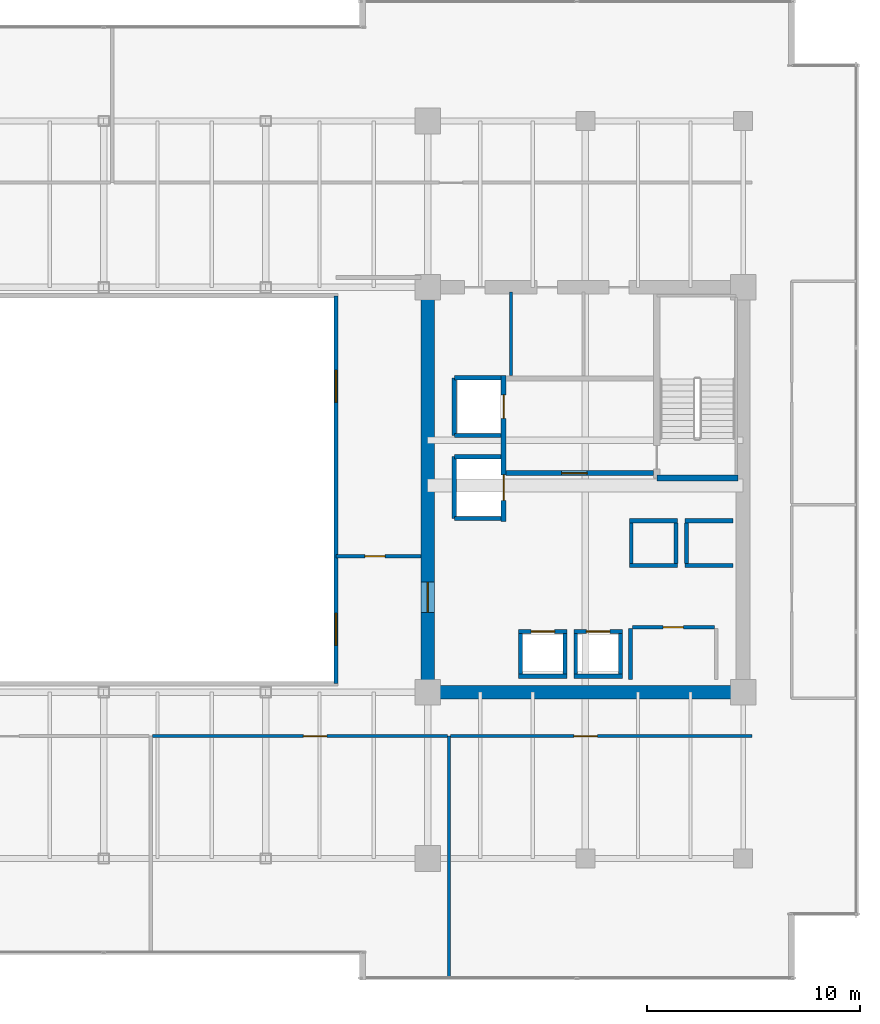
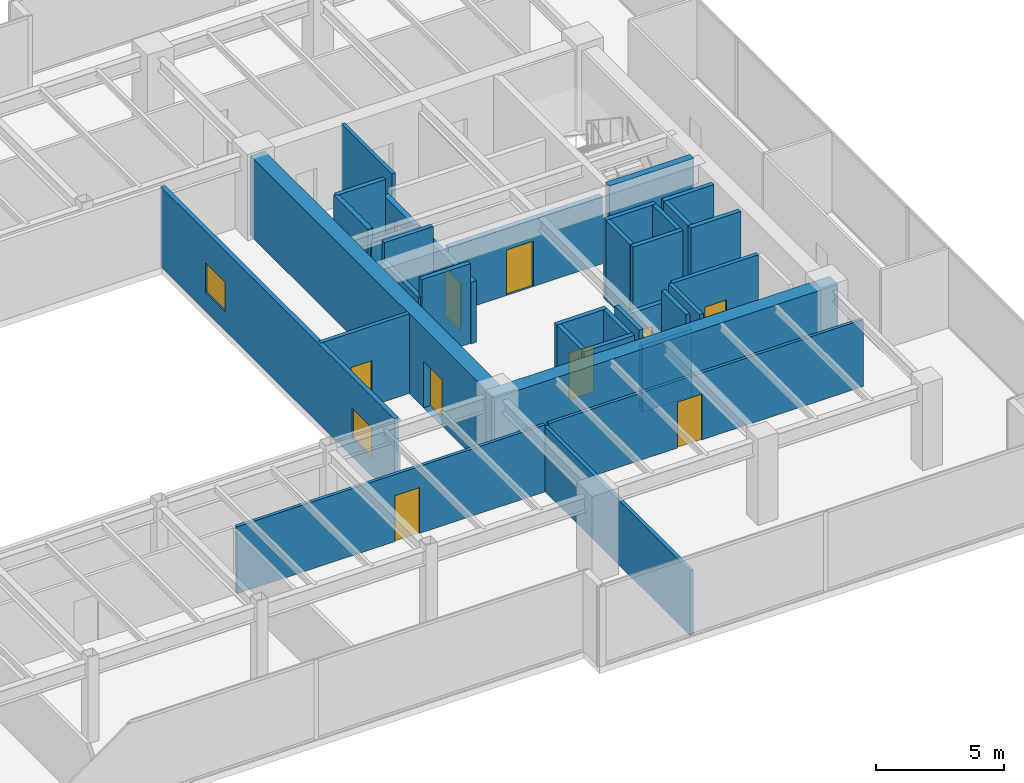
# One storey, part 26 of 30: 34 walls, 10 doors, 2 windows, 12 openings.
"""IFC4 building model written with IfcOpenShell, lengths in metres."""

from ifc_helpers import new_model, si_unit, direction, frame, frame_2d, origin, place, context, subcontext, project, spatial, rectangle, extrude, source, transform, mapped, material, layer, layer_set, type_object, type_shapes, element, fill, save


model = new_model("IFC4")

# Units and contexts
model_context = context("Model", 3, precision=1e-05, world=origin(), true_north=direction((0.0, 1.0)))
body_context = subcontext(model_context, "Body", "Model", "MODEL_VIEW")
ifc_project = project(units=[si_unit("LENGTHUNIT", "METRE"), si_unit("AREAUNIT", "SQUARE_METRE"), si_unit("VOLUMEUNIT", "CUBIC_METRE"), si_unit("PLANEANGLEUNIT", "RADIAN"), si_unit("MASSUNIT", "GRAM", prefix="KILO")], contexts=[model_context])

# Site, building, storey
site_placement = place(None, origin())
site = spatial("IfcSite", under=ifc_project, at=site_placement, CompositionType="ELEMENT")
building_placement = place(site_placement, origin())
building = spatial("IfcBuilding", under=site, at=building_placement, Name="Haelvirn Gate Laboratories", CompositionType="ELEMENT")
storey_placement = place(building_placement, frame((0.0, 0.0, 183.0)))
storey = spatial("IfcBuildingStorey", under=building, at=storey_placement, Name="L44", CompositionType="ELEMENT", Elevation=183.0)

# Wall
ifc_material_1 = material(Name="Double-layer acoustic gypsum laboratory partition", Category="gypsum")
ifc_layer_1 = layer(ifc_material_1, 0.159912109375, Name="IW-ACOUST-160")
ifc_layer_set_1 = layer_set([ifc_layer_1], Name="Double-layer acoustic gypsum laboratory partition")
wall_type_1 = type_object("IfcWallType", Name="IW-ACOUST-160", PredefinedType="PARTITIONING", material=ifc_layer_set_1)
wall_1_placement = place(storey_placement, frame((53.60009765625, 1.409912109375, 0.0), z_axis=(0.0, 0.0, 1.0), x_axis=(0.0, 1.0, 0.0)))
element("IfcWall", 1, at=wall_1_placement, inside=storey, type_object=wall_type_1, Name="L44 Interior Wall IW-L44-SDIV-04", PredefinedType="PARTITIONING", context=body_context, shape_type="SweptSolid", body=[
    extrude(rectangle(XDim=11.330078125, YDim=0.159912109375, at=frame_2d((5.6650390625, 0.0))), origin(), (0.0, 0.0, 1.0), 3.074951171875),
])

# Wall, opening, door
ifc_material_2 = material(Name="Fire-rated acoustic gypsum board partition", Category="gypsum")
ifc_layer_2 = layer(ifc_material_2, 0.175048828125, Name="IW-ACOUST-180")
ifc_layer_set_2 = layer_set([ifc_layer_2], Name="Fire-rated acoustic gypsum board partition")
wall_type_2 = type_object("IfcWallType", Name="IW-ACOUST-180", PredefinedType="PARTITIONING", material=ifc_layer_set_2)
wall_2_placement = place(storey_placement, frame((48.300048828125, 21.179931640625, 0.0), z_axis=(0.0, 0.0, 1.0), x_axis=(1.0, 0.0, 0.0)))
wall_2 = element("IfcWall", 2, at=wall_2_placement, inside=storey, type_object=wall_type_2, Name="L44 Interior Wall IW-L44-ASEM-S", PredefinedType="PARTITIONING", context=body_context, shape_type="SweptSolid", body=[
    extrude(rectangle(XDim=3.974853515625, YDim=0.175048828125, at=frame_2d((1.9873046875, 0.0))), origin(), (0.0, 0.0, 1.0), 3.7900390625),
])
opening_1_placement = place(wall_2_placement, frame((1.35009765625, 0.0, 0.0)))
opening_1 = element("IfcOpeningElement", 3, at=opening_1_placement, cuts=wall_2, Name="Opening FD4", PredefinedType="OPENING", context=body_context, shape_type="SweptSolid", body=[
    extrude(rectangle(XDim=0.949951171875, YDim=2.14990234375, at=frame_2d((0.47509765625, 1.074951171875))), frame((0.0, 0.09765625, 0.0), z_axis=(0.0, -1.0, 0.0), x_axis=(1.0, 0.0, 0.0)), (0.0, 0.0, 1.0), 0.195068359375),
])
ifc_material_3 = material(Name="Fire-rated steel SM355 core service door", Category="steel")
door_type_1 = type_object("IfcDoorType", Name="DR-FD-950", OperationType="NOTDEFINED", PredefinedType="DOOR", material=ifc_material_3)
shared_shape_1 = source(origin(), body_context, "Body", "SweptSolid", [
    extrude(rectangle(XDim=0.949951171875, YDim=2.14990234375, at=frame_2d((0.47509765625, 1.074951171875))), frame((0.0, 0.02490234375, 0.0), z_axis=(0.0, -1.0, 0.0), x_axis=(1.0, 0.0, 0.0)), (0.0, 0.0, 1.0), 0.050048828125),
])
type_shapes(door_type_1, [shared_shape_1])
door_1_placement = place(opening_1_placement, origin())
door_1 = element("IfcDoor", 4, at=door_1_placement, inside=storey, type_object=door_type_1, Name="L44 Atrium Bioinformatics Suite Door", OperationType="SINGLE_SWING_LEFT", OverallHeight=2.14990234375, OverallWidth=0.949951171875, PredefinedType="DOOR", context=body_context, shape_type="MappedRepresentation", body=[
    mapped(shared_shape_1, transform((0.0, 0.0, 0.0), scale=1.0)),
])
fill(opening_1, door_1)

# Wall, openings, windows
ifc_material_4 = material(Name="Tempered fire-rated borosilicate glass & anodised aluminium", Category="aluminium")
ifc_layer_3 = layer(ifc_material_4, 0.195068359375, Name="IW-GLAZ-200")
ifc_layer_set_3 = layer_set([ifc_layer_3], Name="Tempered fire-rated borosilicate glass & anodised aluminium")
wall_type_3 = type_object("IfcWallType", Name="IW-GLAZ-200", PredefinedType="SOLIDWALL", material=ifc_layer_set_3)
wall_3_placement = place(storey_placement, frame((48.300048828125, 15.199951171875, 0.0), z_axis=(0.0, 0.0, 1.0), x_axis=(0.0, 1.0, 0.0)))
wall_3 = element("IfcWall", 5, at=wall_3_placement, inside=storey, type_object=wall_type_3, Name="L44 Interior Wall IW-L44-ATRIUM-E", PredefinedType="SOLIDWALL", context=body_context, shape_type="SweptSolid", body=[
    extrude(rectangle(XDim=18.199951171875, YDim=0.195068359375, at=frame_2d((9.10009765625, 0.0))), origin(), (0.0, 0.0, 1.0), 3.7900390625),
])
opening_2_placement = place(wall_3_placement, frame((1.800048828125, 0.0, 0.89990234375)))
opening_2 = element("IfcOpeningElement", 6, at=opening_2_placement, cuts=wall_3, Name="Opening W5", PredefinedType="OPENING", context=body_context, shape_type="SweptSolid", body=[
    extrude(rectangle(XDim=1.5, YDim=1.39990234375, at=frame_2d((0.75, 0.699951171875))), frame((0.0, 0.107421875, 0.0), z_axis=(0.0, -1.0, 0.0), x_axis=(1.0, 0.0, 0.0)), (0.0, 0.0, 1.0), 0.215087890625),
])
opening_3_placement = place(wall_3_placement, frame((13.199951171875, 0.0, 0.89990234375)))
opening_3 = element("IfcOpeningElement", 7, at=opening_3_placement, cuts=wall_3, Name="Opening W5", PredefinedType="OPENING", context=body_context, shape_type="SweptSolid", body=[
    extrude(rectangle(XDim=1.5, YDim=1.39990234375, at=frame_2d((0.75, 0.699951171875))), frame((0.0, 0.107421875, 0.0), z_axis=(0.0, -1.0, 0.0), x_axis=(1.0, 0.0, 0.0)), (0.0, 0.0, 1.0), 0.215087890625),
])
ifc_material_5 = material(Name="Fire-rated EI 120 borosilicate atrium vision glazing", Category="glass")
window_type = type_object("IfcWindowType", Name="WN-ATR-1500", PartitioningType="SINGLE_PANEL", PredefinedType="WINDOW", material=ifc_material_5)
shared_shape_2 = source(origin(), body_context, "Body", "SweptSolid", [
    extrude(rectangle(XDim=1.5, YDim=1.39990234375, at=frame_2d((0.75, 0.699951171875))), frame((0.0, 0.030029296875, 0.0), z_axis=(0.0, -1.0, 0.0), x_axis=(1.0, 0.0, 0.0)), (0.0, 0.0, 1.0), 0.06005859375),
])
type_shapes(window_type, [shared_shape_2])
window_1_placement = place(opening_2_placement, origin())
window_1 = element("IfcWindow", 8, at=window_1_placement, inside=storey, type_object=window_type, Name="L44 Atrium Observation Window 1", OverallHeight=1.39990234375, OverallWidth=1.5, PartitioningType="SINGLE_PANEL", PredefinedType="WINDOW", context=body_context, shape_type="MappedRepresentation", body=[
    mapped(shared_shape_2, transform((0.0, 0.0, 0.0), scale=1.0)),
])
fill(opening_2, window_1)
window_2_placement = place(opening_3_placement, origin())
window_2 = element("IfcWindow", 9, at=window_2_placement, inside=storey, type_object=window_type, Name="L44 Atrium Observation Window 2", OverallHeight=1.39990234375, OverallWidth=1.5, PartitioningType="SINGLE_PANEL", PredefinedType="WINDOW", context=body_context, shape_type="MappedRepresentation", body=[
    mapped(shared_shape_2, transform((0.0, 0.0, 0.0), scale=1.0)),
])
fill(opening_3, window_2)

# Wall, opening, door
ifc_material_6 = material(Name="Acoustic mineral-wool gypsum board partition", Category="gypsum")
ifc_layer_4 = layer(ifc_material_6, 0.139892578125, Name="IW-PART-140")
ifc_layer_set_4 = layer_set([ifc_layer_4], Name="Acoustic mineral-wool gypsum board partition")
wall_type_4 = type_object("IfcWallType", Name="IW-PART-140", PredefinedType="PARTITIONING", material=ifc_layer_set_4)
wall_4_placement = place(storey_placement, frame((39.679931640625, 12.739990234375, 0.0), z_axis=(0.0, 0.0, 1.0), x_axis=(1.0, 0.0, 0.0)))
wall_4 = element("IfcWall", 10, at=wall_4_placement, inside=storey, type_object=wall_type_4, Name="L44 Interior Wall IW-L44-SCORR-04", PredefinedType="PARTITIONING", context=body_context, shape_type="SweptSolid", body=[
    extrude(rectangle(XDim=13.840087890625, YDim=0.139892578125, at=frame_2d((6.919921875, 0.0))), origin(), (0.0, 0.0, 1.0), 3.18701171875),
])
opening_4_placement = place(wall_4_placement, frame((7.09228515625, 0.0, 0.0)))
opening_4 = element("IfcOpeningElement", 11, at=opening_4_placement, cuts=wall_4, Name="Opening D1", PredefinedType="OPENING", context=body_context, shape_type="SweptSolid", body=[
    extrude(rectangle(XDim=1.10009765625, YDim=2.179931640625, at=frame_2d((0.550048828125, 1.08984375))), frame((0.0, 0.080078125, 0.0), z_axis=(0.0, -1.0, 0.0), x_axis=(1.0, 0.0, 0.0)), (0.0, 0.0, 1.0), 0.159912109375),
])
ifc_material_7 = material(Name="Vision-panel acoustic solid-core timber lab door", Category="wood")
door_type_2 = type_object("IfcDoorType", Name="DR-LAB-1100", OperationType="NOTDEFINED", PredefinedType="DOOR", material=ifc_material_7)
shared_shape_3 = source(origin(), body_context, "Body", "SweptSolid", [
    extrude(rectangle(XDim=1.10009765625, YDim=2.179931640625, at=frame_2d((0.550048828125, 1.08984375))), frame((0.0, 0.02490234375, 0.0), z_axis=(0.0, -1.0, 0.0), x_axis=(1.0, 0.0, 0.0)), (0.0, 0.0, 1.0), 0.050048828125),
])
type_shapes(door_type_2, [shared_shape_3])
door_2_placement = place(opening_4_placement, origin())
door_2 = element("IfcDoor", 12, at=door_2_placement, inside=storey, type_object=door_type_2, Name="L44 Cleanroom Metrology Suite Door S4", OperationType="SINGLE_SWING_RIGHT", OverallHeight=2.179931640625, OverallWidth=1.10009765625, PredefinedType="DOOR", context=body_context, shape_type="MappedRepresentation", body=[
    mapped(shared_shape_3, transform((0.0, 0.0, 0.0), scale=1.0)),
])
fill(opening_4, door_2)

wall_5_placement = place(storey_placement, frame((53.679931640625, 12.739990234375, 0.0), z_axis=(0.0, 0.0, 1.0), x_axis=(1.0, 0.0, 0.0)))
wall_5 = element("IfcWall", 13, at=wall_5_placement, inside=storey, type_object=wall_type_4, Name="L44 Interior Wall IW-L44-SCORR-05", PredefinedType="PARTITIONING", context=body_context, shape_type="SweptSolid", body=[
    extrude(rectangle(XDim=14.14013671875, YDim=0.139892578125, at=frame_2d((7.070068359375, 0.0))), origin(), (0.0, 0.0, 1.0), 3.18701171875),
])
opening_5_placement = place(wall_5_placement, frame((5.779541015625, 0.0, 0.0)))
opening_5 = element("IfcOpeningElement", 14, at=opening_5_placement, cuts=wall_5, Name="Opening D1", PredefinedType="OPENING", context=body_context, shape_type="SweptSolid", body=[
    extrude(rectangle(XDim=1.10009765625, YDim=2.179931640625, at=frame_2d((0.550048828125, 1.08984375))), frame((0.0, 0.080078125, 0.0), z_axis=(0.0, -1.0, 0.0), x_axis=(1.0, 0.0, 0.0)), (0.0, 0.0, 1.0), 0.159912109375),
])
door_3_placement = place(opening_5_placement, origin())
door_3 = element("IfcDoor", 15, at=door_3_placement, inside=storey, type_object=door_type_2, Name="L44 Cryo-EM Imaging Suite Door S5", OperationType="SINGLE_SWING_LEFT", OverallHeight=2.179931640625, OverallWidth=1.10009765625, PredefinedType="DOOR", context=body_context, shape_type="MappedRepresentation", body=[
    mapped(shared_shape_3, transform((0.0, 0.0, 0.0), scale=1.0)),
])
fill(opening_5, door_3)

# Walls
ifc_material_8 = material(Name="Cement-board restroom plumbing chase wall", Category="gypsum")
ifc_layer_5 = layer(ifc_material_8, 0.155029296875, Name="IW-PLUMB-160")
ifc_layer_set_5 = layer_set([ifc_layer_5], Name="Cement-board restroom plumbing chase wall")
wall_type_5 = type_object("IfcWallType", Name="IW-PLUMB-160", PredefinedType="PLUMBINGWALL", material=ifc_layer_set_5)
wall_6_placement = place(storey_placement, frame((56.510009765625, 29.64990234375, 0.0), z_axis=(0.0, 0.0, 1.0), x_axis=(0.0, 1.0, 0.0)))
element("IfcWall", 16, at=wall_6_placement, inside=storey, type_object=wall_type_5, Name="L44 Interior Wall IW-L44-E-CDIV-2", PredefinedType="PLUMBINGWALL", context=body_context, shape_type="SweptSolid", body=[
    extrude(rectangle(XDim=3.93017578125, YDim=0.155029296875, at=frame_2d((1.965087890625, 0.0))), origin(), (0.0, 0.0, 1.0), 3.7900390625),
])
ifc_material_9 = material(Name="Concrete C40/50", Category="concrete")
ifc_layer_6 = layer(ifc_material_9, 0.179931640625, Name="IW-SHAFT-180")
ifc_layer_set_6 = layer_set([ifc_layer_6], Name="Concrete C40/50")
wall_type_6 = type_object("IfcWallType", Name="IW-SHAFT-180", PredefinedType="SOLIDWALL", material=ifc_layer_set_6)
for number, where, z_axis, x_axis, name in (
    (17, (59.550048828125, 15.64990234375, 0.0), (0.0, 0.0, 1.0), (0.0, 1.0, 0.0), "L44 Interior Wall IW-L44-PL7-SD"),
    (18, (61.64990234375, 15.64990234375, 0.0), (0.0, 0.0, 1.0), (0.0, 1.0, 0.0), "L44 Interior Wall IW-L44-PL7-SDE"),
    (19, (56.949951171875, 15.64990234375, 0.0), (0.0, 0.0, 1.0), (0.0, 1.0, 0.0), "L44 Interior Wall IW-L44-PL8-SD"),
    (20, (59.050048828125, 15.64990234375, 0.0), (0.0, 0.0, 1.0), (0.0, 1.0, 0.0), "L44 Interior Wall IW-L44-PL8-SDE"),
):
    element("IfcWall", number, at=place(storey_placement, frame(where, z_axis=z_axis, x_axis=x_axis)), inside=storey, type_object=wall_type_6, Name=name, PredefinedType="SOLIDWALL", context=body_context, shape_type="SweptSolid", body=[
        extrude(rectangle(XDim=1.900146484375, YDim=0.179931640625, at=frame_2d((0.9501953125, 0.0))), origin(), (0.0, 0.0, 1.0), 3.7900390625),
    ])
for number, where, z_axis, x_axis, name in (
    (21, (64.75, 20.85009765625, 0.0), (0.0, 0.0, 1.0), (0.0, 1.0, 0.0), "L44 Interior Wall IW-L44-PL11-SD"),
    (22, (62.14990234375, 20.85009765625, 0.0), (0.0, 0.0, 1.0), (0.0, 1.0, 0.0), "L44 Interior Wall IW-L44-PL12-SD"),
    (23, (64.25, 20.85009765625, 0.0), (0.0, 0.0, 1.0), (0.0, 1.0, 0.0), "L44 Interior Wall IW-L44-PL12-SDE"),
):
    element("IfcWall", number, at=place(storey_placement, frame(where, z_axis=z_axis, x_axis=x_axis)), inside=storey, type_object=wall_type_6, Name=name, PredefinedType="SOLIDWALL", context=body_context, shape_type="SweptSolid", body=[
        extrude(rectangle(XDim=1.89990234375, YDim=0.179931640625, at=frame_2d((0.949951171875, 0.0))), origin(), (0.0, 0.0, 1.0), 3.7900390625),
    ])

# Wall, opening, door
wall_7_placement = place(storey_placement, frame((62.199951171875, 17.85009765625, 0.0), z_axis=(0.0, 0.0, 1.0), x_axis=(1.0, 0.0, 0.0)))
wall_7 = element("IfcWall", 24, at=wall_7_placement, inside=storey, type_object=wall_type_6, Name="L44 Interior Wall IW-L44-E-FREED-LN-1", PredefinedType="SOLIDWALL", context=body_context, shape_type="SweptSolid", body=[
    extrude(rectangle(XDim=3.85009765625, YDim=0.179931640625, at=frame_2d((1.925048828125, 0.0))), origin(), (0.0, 0.0, 1.0), 3.7900390625),
])
opening_6_placement = place(wall_7_placement, frame((1.449951171875, 0.0, 0.0)))
opening_6 = element("IfcOpeningElement", 25, at=opening_6_placement, cuts=wall_7, Name="Opening FD4", PredefinedType="OPENING", context=body_context, shape_type="SweptSolid", body=[
    extrude(rectangle(XDim=0.949951171875, YDim=2.14990234375, at=frame_2d((0.47509765625, 1.074951171875))), frame((0.0, 0.10009765625, 0.0), z_axis=(0.0, -1.0, 0.0), x_axis=(1.0, 0.0, 0.0)), (0.0, 0.0, 1.0), 0.199951171875),
])
door_4_placement = place(opening_6_placement, origin())
door_4 = element("IfcDoor", 26, at=door_4_placement, inside=storey, type_object=door_type_1, Name="L44 Cryo-Dewar & Sterile Glassware Room Door", OperationType="SINGLE_SWING_LEFT", OverallHeight=2.14990234375, OverallWidth=0.949951171875, PredefinedType="DOOR", context=body_context, shape_type="MappedRepresentation", body=[
    mapped(shared_shape_1, transform((0.0, 0.0, 0.0), scale=1.0)),
])
fill(opening_6, door_4)

# Wall
wall_8_placement = place(storey_placement, frame((62.110107421875, 15.39990234375, 0.0), z_axis=(0.0, 0.0, 1.0), x_axis=(0.0, 1.0, 0.0)))
element("IfcWall", 27, at=wall_8_placement, inside=storey, type_object=wall_type_6, Name="L44 Interior Wall IW-L44-E-FREED-LE-1", PredefinedType="SOLIDWALL", context=body_context, shape_type="SweptSolid", body=[
    extrude(rectangle(XDim=2.400146484375, YDim=0.179931640625, at=frame_2d((1.2001953125, 0.0))), origin(), (0.0, 0.0, 1.0), 3.7900390625),
])

# Wall, opening, door
ifc_layer_7 = layer(ifc_material_9, 0.199951171875, Name="IW-SHAFT-200")
ifc_layer_set_7 = layer_set([ifc_layer_7], Name="Concrete C40/50")
wall_type_7 = type_object("IfcWallType", Name="IW-SHAFT-200", PredefinedType="SOLIDWALL", material=ifc_layer_set_7)
wall_9_placement = place(storey_placement, frame((59.469970703125, 17.64990234375, 0.0), z_axis=(0.0, 0.0, 1.0), x_axis=(1.0, 0.0, 0.0)))
wall_9 = element("IfcWall", 28, at=wall_9_placement, inside=storey, type_object=wall_type_7, Name="L44 Interior Wall IW-L44-PL7-FR", PredefinedType="SOLIDWALL", context=body_context, shape_type="SweptSolid", body=[
    extrude(rectangle(XDim=2.260009765625, YDim=0.199951171875, at=frame_2d((1.1298828125, 0.0))), origin(), (0.0, 0.0, 1.0), 3.18701171875),
])
opening_7_placement = place(wall_9_placement, frame((0.580078125, 0.0, 0.0)))
opening_7 = element("IfcOpeningElement", 29, at=opening_7_placement, cuts=wall_9, Name="Opening LD2", PredefinedType="OPENING", context=body_context, shape_type="SweptSolid", body=[
    extrude(rectangle(XDim=1.10009765625, YDim=2.219970703125, at=frame_2d((0.550048828125, 1.10986328125))), frame((0.0, 0.10986328125, 0.0), z_axis=(0.0, -1.0, 0.0), x_axis=(1.0, 0.0, 0.0)), (0.0, 0.0, 1.0), 0.219970703125),
])
ifc_material_10 = material(Name="Bronze stainless 316L sliding lift landing door")
door_type_3 = type_object("IfcDoorType", Name="DR-LD-1100", OperationType="NOTDEFINED", PredefinedType="USERDEFINED", material=ifc_material_10)
shared_shape_4 = source(origin(), body_context, "Body", "SweptSolid", [
    extrude(rectangle(XDim=1.10009765625, YDim=2.219970703125, at=frame_2d((0.550048828125, 1.10986328125))), frame((0.0, 0.02490234375, 0.0), z_axis=(0.0, -1.0, 0.0), x_axis=(1.0, 0.0, 0.0)), (0.0, 0.0, 1.0), 0.050048828125),
])
type_shapes(door_type_3, [shared_shape_4])
door_5_placement = place(opening_7_placement, origin())
door_5 = element("IfcDoor", 30, at=door_5_placement, inside=storey, type_object=door_type_3, Name="L44 Passenger Lift PL7 Landing Door", ObjectType="LANDING_DOOR", OperationType="SLIDING_TO_LEFT", OverallHeight=2.219970703125, OverallWidth=1.10009765625, PredefinedType="USERDEFINED", context=body_context, shape_type="MappedRepresentation", body=[
    mapped(shared_shape_4, transform((0.0, 0.0, 0.0), scale=1.0)),
])
fill(opening_7, door_5)

# Wall
wall_10_placement = place(storey_placement, frame((59.469970703125, 15.550048828125, 0.0), z_axis=(0.0, 0.0, 1.0), x_axis=(1.0, 0.0, 0.0)))
element("IfcWall", 31, at=wall_10_placement, inside=storey, type_object=wall_type_7, Name="L44 Interior Wall IW-L44-PL7-BK", PredefinedType="SOLIDWALL", context=body_context, shape_type="SweptSolid", body=[
    extrude(rectangle(XDim=2.260009765625, YDim=0.199951171875, at=frame_2d((1.1298828125, 0.0))), origin(), (0.0, 0.0, 1.0), 3.18701171875),
])

# Wall, opening, door
wall_11_placement = place(storey_placement, frame((56.8701171875, 17.64990234375, 0.0), z_axis=(0.0, 0.0, 1.0), x_axis=(1.0, 0.0, 0.0)))
wall_11 = element("IfcWall", 32, at=wall_11_placement, inside=storey, type_object=wall_type_7, Name="L44 Interior Wall IW-L44-PL8-FR", PredefinedType="SOLIDWALL", context=body_context, shape_type="SweptSolid", body=[
    extrude(rectangle(XDim=2.259765625, YDim=0.199951171875, at=frame_2d((1.1298828125, 0.0))), origin(), (0.0, 0.0, 1.0), 3.7900390625),
])
opening_8_placement = place(wall_11_placement, frame((0.580078125, 0.0, 0.0)))
opening_8 = element("IfcOpeningElement", 33, at=opening_8_placement, cuts=wall_11, Name="Opening LD2", PredefinedType="OPENING", context=body_context, shape_type="SweptSolid", body=[
    extrude(rectangle(XDim=1.10009765625, YDim=2.219970703125, at=frame_2d((0.550048828125, 1.10986328125))), frame((0.0, 0.10986328125, 0.0), z_axis=(0.0, -1.0, 0.0), x_axis=(1.0, 0.0, 0.0)), (0.0, 0.0, 1.0), 0.219970703125),
])
door_6_placement = place(opening_8_placement, origin())
door_6 = element("IfcDoor", 34, at=door_6_placement, inside=storey, type_object=door_type_3, Name="L44 Passenger Lift PL8 Landing Door", ObjectType="LANDING_DOOR", OperationType="SLIDING_TO_RIGHT", OverallHeight=2.219970703125, OverallWidth=1.10009765625, PredefinedType="USERDEFINED", context=body_context, shape_type="MappedRepresentation", body=[
    mapped(shared_shape_4, transform((0.0, 0.0, 0.0), scale=1.0)),
])
fill(opening_8, door_6)

# Walls
wall_12_placement = place(storey_placement, frame((56.8701171875, 15.550048828125, 0.0), z_axis=(0.0, 0.0, 1.0), x_axis=(1.0, 0.0, 0.0)))
element("IfcWall", 35, at=wall_12_placement, inside=storey, type_object=wall_type_7, Name="L44 Interior Wall IW-L44-PL8-BK", PredefinedType="SOLIDWALL", context=body_context, shape_type="SweptSolid", body=[
    extrude(rectangle(XDim=2.259765625, YDim=0.199951171875, at=frame_2d((1.1298828125, 0.0))), origin(), (0.0, 0.0, 1.0), 3.7900390625),
])
for number, where, z_axis, x_axis, name in (
    (36, (64.669921875, 20.75, 0.0), (0.0, 0.0, 1.0), (1.0, 0.0, 0.0), "L44 Interior Wall IW-L44-PL11-FR"),
    (37, (64.669921875, 22.85009765625, 0.0), (0.0, 0.0, 1.0), (1.0, 0.0, 0.0), "L44 Interior Wall IW-L44-PL11-BK"),
    (38, (62.070068359375, 20.75, 0.0), (0.0, 0.0, 1.0), (1.0, 0.0, 0.0), "L44 Interior Wall IW-L44-PL12-FR"),
    (39, (62.070068359375, 22.85009765625, 0.0), (0.0, 0.0, 1.0), (1.0, 0.0, 0.0), "L44 Interior Wall IW-L44-PL12-BK"),
):
    element("IfcWall", number, at=place(storey_placement, frame(where, z_axis=z_axis, x_axis=x_axis)), inside=storey, type_object=wall_type_7, Name=name, PredefinedType="SOLIDWALL", context=body_context, shape_type="SweptSolid", body=[
        extrude(rectangle(XDim=2.260009765625, YDim=0.199951171875, at=frame_2d((1.1298828125, 0.0))), origin(), (0.0, 0.0, 1.0), 3.7900390625),
    ])
wall_13_placement = place(storey_placement, frame((53.85009765625, 26.85009765625, 0.0), z_axis=(0.0, 0.0, 1.0), x_axis=(0.0, 1.0, 0.0)))
element("IfcWall", 40, at=wall_13_placement, inside=storey, type_object=wall_type_7, Name="L44 Interior Wall IW-L44-FL2-BK", PredefinedType="SOLIDWALL", context=body_context, shape_type="SweptSolid", body=[
    extrude(rectangle(XDim=2.699951171875, YDim=0.199951171875, at=frame_2d((1.35009765625, 0.0))), origin(), (0.0, 0.0, 1.0), 3.7900390625),
])
wall_14_placement = place(storey_placement, frame((53.85009765625, 29.550048828125, 0.0), z_axis=(0.0, 0.0, 1.0), x_axis=(1.0, 0.0, 0.0)))
element("IfcWall", 41, at=wall_14_placement, inside=storey, type_object=wall_type_7, Name="L44 Interior Wall IW-L44-FL2-N", PredefinedType="SOLIDWALL", context=body_context, shape_type="SweptSolid", body=[
    extrude(rectangle(XDim=2.18994140625, YDim=0.199951171875, at=frame_2d((1.094970703125, 0.0))), origin(), (0.0, 0.0, 1.0), 3.7900390625),
])
wall_15_placement = place(storey_placement, frame((53.85009765625, 26.85009765625, 0.0), z_axis=(0.0, 0.0, 1.0), x_axis=(1.0, 0.0, 0.0)))
element("IfcWall", 42, at=wall_15_placement, inside=storey, type_object=wall_type_7, Name="L44 Interior Wall IW-L44-FL2-S", PredefinedType="SOLIDWALL", context=body_context, shape_type="SweptSolid", body=[
    extrude(rectangle(XDim=2.18994140625, YDim=0.199951171875, at=frame_2d((1.094970703125, 0.0))), origin(), (0.0, 0.0, 1.0), 3.18701171875),
])
wall_16_placement = place(storey_placement, frame((53.85009765625, 22.949951171875, 0.0), z_axis=(0.0, 0.0, 1.0), x_axis=(0.0, 1.0, 0.0)))
element("IfcWall", 43, at=wall_16_placement, inside=storey, type_object=wall_type_7, Name="L44 Interior Wall IW-L44-SL2-BK", PredefinedType="SOLIDWALL", context=body_context, shape_type="SweptSolid", body=[
    extrude(rectangle(XDim=2.900146484375, YDim=0.199951171875, at=frame_2d((1.4501953125, 0.0))), origin(), (0.0, 0.0, 1.0), 2.925048828125),
])
for number, where, z_axis, x_axis, name in (
    (44, (53.85009765625, 25.85009765625, 0.0), (0.0, 0.0, 1.0), (1.0, 0.0, 0.0), "L44 Interior Wall IW-L44-SL2-N"),
    (45, (53.85009765625, 22.949951171875, 0.0), (0.0, 0.0, 1.0), (1.0, 0.0, 0.0), "L44 Interior Wall IW-L44-SL2-S"),
):
    element("IfcWall", number, at=place(storey_placement, frame(where, z_axis=z_axis, x_axis=x_axis)), inside=storey, type_object=wall_type_7, Name=name, PredefinedType="SOLIDWALL", context=body_context, shape_type="SweptSolid", body=[
        extrude(rectangle(XDim=2.18994140625, YDim=0.199951171875, at=frame_2d((1.094970703125, 0.0))), origin(), (0.0, 0.0, 1.0), 3.7900390625),
    ])

# Wall, opening, door
ifc_layer_8 = layer(ifc_material_9, 0.239990234375, Name="IW-SHAFT-240")
ifc_layer_set_8 = layer_set([ifc_layer_8], Name="Concrete C40/50")
wall_type_8 = type_object("IfcWallType", Name="IW-SHAFT-240", PredefinedType="SOLIDWALL", material=ifc_layer_set_8)
wall_17_placement = place(storey_placement, frame((56.280029296875, 25.080078125, 0.0), z_axis=(0.0, 0.0, 1.0), x_axis=(1.0, 0.0, 0.0)))
wall_17 = element("IfcWall", 46, at=wall_17_placement, inside=storey, type_object=wall_type_8, Name="L44 Interior Wall IW-L44-E-FF-S", PredefinedType="SOLIDWALL", context=body_context, shape_type="SweptSolid", body=[
    extrude(rectangle(XDim=6.919921875, YDim=0.239990234375, at=frame_2d((3.4599609375, 0.0))), origin(), (0.0, 0.0, 1.0), 3.18701171875),
])
opening_9_placement = place(wall_17_placement, frame((2.60009765625, 0.0, 0.0)))
opening_9 = element("IfcOpeningElement", 47, at=opening_9_placement, cuts=wall_17, Name="Opening FD2", PredefinedType="OPENING", context=body_context, shape_type="SweptSolid", body=[
    extrude(rectangle(XDim=1.199951171875, YDim=2.159912109375, at=frame_2d((0.60009765625, 1.080078125))), frame((0.0, 0.1298828125, 0.0), z_axis=(0.0, -1.0, 0.0), x_axis=(1.0, 0.0, 0.0)), (0.0, 0.0, 1.0), 0.260009765625),
])
ifc_material_11 = material(Name="Fire-rated steel SM355 compartment door", Category="steel")
door_type_4 = type_object("IfcDoorType", Name="DR-FD-1200", OperationType="NOTDEFINED", PredefinedType="DOOR", material=ifc_material_11)
shared_shape_5 = source(origin(), body_context, "Body", "SweptSolid", [
    extrude(rectangle(XDim=1.199951171875, YDim=2.159912109375, at=frame_2d((0.60009765625, 1.080078125))), frame((0.0, 0.02490234375, 0.0), z_axis=(0.0, -1.0, 0.0), x_axis=(1.0, 0.0, 0.0)), (0.0, 0.0, 1.0), 0.050048828125),
])
type_shapes(door_type_4, [shared_shape_5])
door_7_placement = place(opening_9_placement, origin())
door_7 = element("IfcDoor", 48, at=door_7_placement, inside=storey, type_object=door_type_4, Name="L44 East Firefighting Lobby Door", OperationType="SINGLE_SWING_LEFT", OverallHeight=2.159912109375, OverallWidth=1.199951171875, PredefinedType="DOOR", context=body_context, shape_type="MappedRepresentation", body=[
    mapped(shared_shape_5, transform((0.0, 0.0, 0.0), scale=1.0)),
])
fill(opening_9, door_7)

# Wall, openings, doors
wall_18_placement = place(storey_placement, frame((56.159912109375, 22.800048828125, 0.0), z_axis=(0.0, 0.0, 1.0), x_axis=(0.0, 1.0, 0.0)))
wall_18 = element("IfcWall", 49, at=wall_18_placement, inside=storey, type_object=wall_type_8, Name="L44 Interior Wall IW-L44-E-FF-E", PredefinedType="SOLIDWALL", context=body_context, shape_type="SweptSolid", body=[
    extrude(rectangle(XDim=6.849853515625, YDim=0.239990234375, at=frame_2d((3.4248046875, 0.0))), origin(), (0.0, 0.0, 1.0), 2.925048828125),
])
opening_10_placement = place(wall_18_placement, frame((4.85009765625, 0.0, 0.0)))
opening_10 = element("IfcOpeningElement", 50, at=opening_10_placement, cuts=wall_18, Name="Opening LD2", PredefinedType="OPENING", context=body_context, shape_type="SweptSolid", body=[
    extrude(rectangle(XDim=1.10009765625, YDim=2.219970703125, at=frame_2d((0.550048828125, 1.10986328125))), frame((0.0, 0.1298828125, 0.0), z_axis=(0.0, -1.0, 0.0), x_axis=(1.0, 0.0, 0.0)), (0.0, 0.0, 1.0), 0.260009765625),
])
opening_11_placement = place(wall_18_placement, frame((1.0, 0.0, 0.0)))
opening_11 = element("IfcOpeningElement", 51, at=opening_11_placement, cuts=wall_18, Name="Opening LD1", PredefinedType="OPENING", context=body_context, shape_type="SweptSolid", body=[
    extrude(rectangle(XDim=1.199951171875, YDim=2.219970703125, at=frame_2d((0.60009765625, 1.10986328125))), frame((0.0, 0.1298828125, 0.0), z_axis=(0.0, -1.0, 0.0), x_axis=(1.0, 0.0, 0.0)), (0.0, 0.0, 1.0), 0.260009765625),
])
door_8_placement = place(opening_10_placement, origin())
door_8 = element("IfcDoor", 52, at=door_8_placement, inside=storey, type_object=door_type_3, Name="L44 Firefighting Lift FL2 Landing Door", ObjectType="LANDING_DOOR", OperationType="SLIDING_TO_RIGHT", OverallHeight=2.219970703125, OverallWidth=1.10009765625, PredefinedType="USERDEFINED", context=body_context, shape_type="MappedRepresentation", body=[
    mapped(shared_shape_4, transform((0.0, 0.0, 0.0), scale=1.0)),
])
fill(opening_10, door_8)
ifc_material_12 = material(Name="Stainless steel 316L sliding goods landing door", Category="steel")
door_type_5 = type_object("IfcDoorType", Name="DR-LD-1200", OperationType="NOTDEFINED", PredefinedType="USERDEFINED", material=ifc_material_12)
shared_shape_6 = source(origin(), body_context, "Body", "SweptSolid", [
    extrude(rectangle(XDim=1.199951171875, YDim=2.219970703125, at=frame_2d((0.60009765625, 1.10986328125))), frame((0.0, 0.02490234375, 0.0), z_axis=(0.0, -1.0, 0.0), x_axis=(1.0, 0.0, 0.0)), (0.0, 0.0, 1.0), 0.050048828125),
])
type_shapes(door_type_5, [shared_shape_6])
door_9_placement = place(opening_11_placement, origin())
door_9 = element("IfcDoor", 53, at=door_9_placement, inside=storey, type_object=door_type_5, Name="L44 Service Lift SL2 Landing Door", ObjectType="LANDING_DOOR", OperationType="SLIDING_TO_LEFT", OverallHeight=2.219970703125, OverallWidth=1.199951171875, PredefinedType="USERDEFINED", context=body_context, shape_type="MappedRepresentation", body=[
    mapped(shared_shape_6, transform((0.0, 0.0, 0.0), scale=1.0)),
])
fill(opening_11, door_9)

# Wall
ifc_material_13 = material(Name="Concrete C60/75", Category="concrete")
ifc_layer_9 = layer(ifc_material_13, 0.64990234375, Name="SW-CORE-650")
ifc_layer_set_9 = layer_set([ifc_layer_9], Name="Concrete C60/75")
wall_type_9 = type_object("IfcWallType", Name="SW-CORE-650", PredefinedType="SHEAR", material=ifc_layer_set_9)
wall_19_placement = place(storey_placement, frame((52.27490234375, 14.800048828125, 0.0), z_axis=(0.0, 0.0, 1.0), x_axis=(1.0, 0.0, 0.0)))
element("IfcWall", 54, at=wall_19_placement, inside=storey, type_object=wall_type_9, Name="L44 E Core Shear Wall S", PredefinedType="SHEAR", context=body_context, shape_type="SweptSolid", body=[
    extrude(rectangle(XDim=15.4501953125, YDim=0.64990234375, at=frame_2d((7.72509765625, 0.0))), origin(), (0.0, 0.0, 1.0), 3.7900390625),
])

# Wall, opening, door
wall_20_placement = place(storey_placement, frame((52.60009765625, 15.125, 0.0), z_axis=(0.0, 0.0, 1.0), x_axis=(0.0, 1.0, 0.0)))
wall_20 = element("IfcWall", 55, at=wall_20_placement, inside=storey, type_object=wall_type_9, Name="L44 E Core Shear Wall W", PredefinedType="SHEAR", context=body_context, shape_type="SweptSolid", body=[
    extrude(rectangle(XDim=18.35009765625, YDim=0.64990234375, at=frame_2d((9.175048828125, 0.0))), origin(), (0.0, 0.0, 1.0), 3.7900390625),
])
opening_12_placement = place(wall_20_placement, frame((3.425048828125, 0.0, 0.0)))
opening_12 = element("IfcOpeningElement", 56, at=opening_12_placement, cuts=wall_20, Name="Opening FD1", PredefinedType="OPENING", context=body_context, shape_type="SweptSolid", body=[
    extrude(rectangle(XDim=1.419921875, YDim=2.199951171875, at=frame_2d((0.7099609375, 1.10009765625))), frame((0.0, 0.3349609375, 0.0), z_axis=(0.0, -1.0, 0.0), x_axis=(1.0, 0.0, 0.0)), (0.0, 0.0, 1.0), 0.669921875),
])
ifc_material_14 = material(Name="Fire-rated double steel SM355 lobby door", Category="steel")
door_type_6 = type_object("IfcDoorType", Name="DR-FD-1400", OperationType="NOTDEFINED", PredefinedType="DOOR", material=ifc_material_14)
shared_shape_7 = source(origin(), body_context, "Body", "SweptSolid", [
    extrude(rectangle(XDim=1.419921875, YDim=2.199951171875, at=frame_2d((0.7099609375, 1.10009765625))), frame((0.0, 0.02490234375, 0.0), z_axis=(0.0, -1.0, 0.0), x_axis=(1.0, 0.0, 0.0)), (0.0, 0.0, 1.0), 0.050048828125),
])
type_shapes(door_type_6, [shared_shape_7])
door_10_placement = place(opening_12_placement, origin())
door_10 = element("IfcDoor", 57, at=door_10_placement, inside=storey, type_object=door_type_6, Name="L44 East Core Lift Lobby Fire Door", OperationType="DOUBLE_DOOR_SINGLE_SWING", OverallHeight=2.199951171875, OverallWidth=1.419921875, PredefinedType="DOOR", context=body_context, shape_type="MappedRepresentation", body=[
    mapped(shared_shape_7, transform((0.0, 0.0, 0.0), scale=1.0)),
])
fill(opening_12, door_10)

# Wall
ifc_material_15 = material(Name="Concrete C50/60", Category="concrete")
ifc_layer_10 = layer(ifc_material_15, 0.300048828125, Name="SW-STAIR-300")
ifc_layer_set_10 = layer_set([ifc_layer_10], Name="Concrete C50/60")
wall_type_10 = type_object("IfcWallType", Name="SW-STAIR-300", PredefinedType="SHEAR", material=ifc_layer_set_10)
wall_21_placement = place(storey_placement, frame((63.35009765625, 24.85009765625, 0.0), z_axis=(0.0, 0.0, 1.0), x_axis=(1.0, 0.0, 0.0)))
element("IfcWall", 58, at=wall_21_placement, inside=storey, type_object=wall_type_10, Name="L44 E Core Stair Shaft Structural Wall S", PredefinedType="SHEAR", context=body_context, shape_type="SweptSolid", body=[
    extrude(rectangle(XDim=3.7998046875, YDim=0.300048828125, at=frame_2d((1.89990234375, 0.0))), origin(), (0.0, 0.0, 1.0), 3.7900390625),
])

save(model, "model.ifc")
